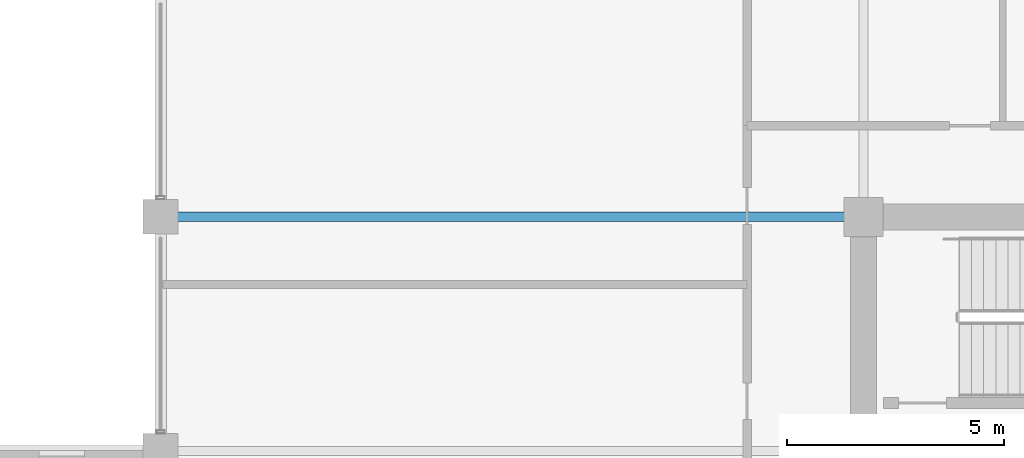
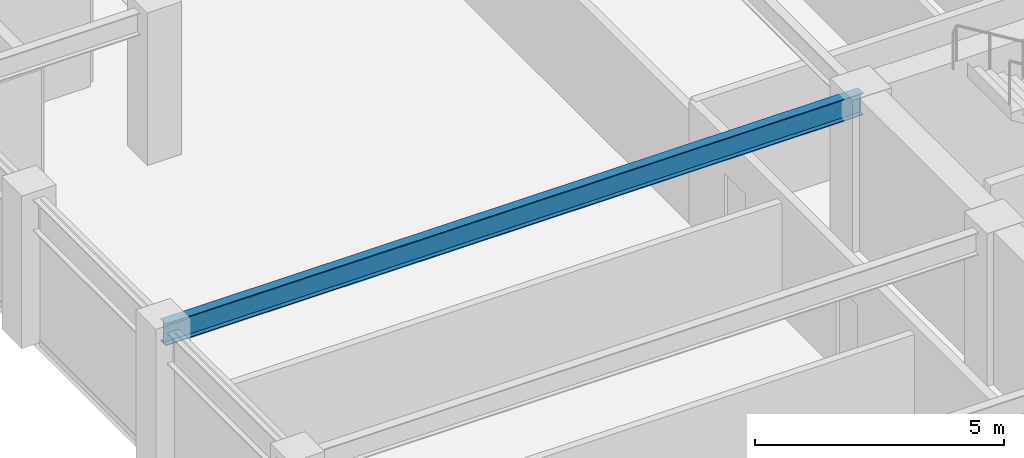
# One storey, part 14 of 28: 1 beam.
"""IFC4 building model written with IfcOpenShell, lengths in metres."""

from ifc_helpers import new_model, si_unit, direction, frame, origin, origin_2d, place, context, subcontext, project, spatial, i_section, extrude, material, material_profile, profile_set, type_object, element, save


model = new_model("IFC4")

# Units and contexts
model_context = context("Model", 3, precision=1e-05, world=origin(), true_north=direction((0.0, 1.0)))
body_context = subcontext(model_context, "Body", "Model", "MODEL_VIEW")
ifc_project = project(units=[si_unit("LENGTHUNIT", "METRE"), si_unit("AREAUNIT", "SQUARE_METRE"), si_unit("VOLUMEUNIT", "CUBIC_METRE"), si_unit("PLANEANGLEUNIT", "RADIAN"), si_unit("MASSUNIT", "GRAM", prefix="KILO")], contexts=[model_context])

# Site, building, storey
site_placement = place(None, origin())
site = spatial("IfcSite", under=ifc_project, at=site_placement, CompositionType="ELEMENT")
building_placement = place(site_placement, origin())
building = spatial("IfcBuilding", under=site, at=building_placement, Name="Surkhivell Harbour Commons", CompositionType="ELEMENT")
storey_placement = place(building_placement, frame((0.0, 0.0, 242.25)))
storey = spatial("IfcBuildingStorey", under=building, at=storey_placement, Name="L63", CompositionType="ELEMENT", Elevation=242.25)

# Beam
ifc_material = material(Name="Steel S355", Category="steel")
ifc_material_profile = material_profile(ifc_material, i_section(OverallWidth=0.2119140625, OverallDepth=0.5439453125, WebThickness=0.0126953125, FlangeThickness=0.021240234375, at=origin_2d()), Name="UB533x210x122")
ifc_profile_set = profile_set([ifc_material_profile], Name="Steel S355")
beam_type = type_object("IfcBeamType", Name="BM-GRD-533A", PredefinedType="BEAM", material=ifc_profile_set)
beam_placement = place(storey_placement, frame((-27.0, 10.800048828125, 3.298095703125), z_axis=(1.0, 0.0, 0.0), x_axis=(0.0, 1.0, 0.0)))
element("IfcBeam", 1, at=beam_placement, inside=storey, type_object=beam_type, Name="L63 Floor Girder (-27.0,10.8)", PredefinedType="BEAM", context=body_context, shape_type="SweptSolid", body=[
    extrude(i_section(OverallWidth=0.2119140625, OverallDepth=0.5439453125, WebThickness=0.0126953125, FlangeThickness=0.021240234375, at=origin_2d()), origin(), (0.0, 0.0, 1.0), 16.199951171875),
])

save(model, "model.ifc")
